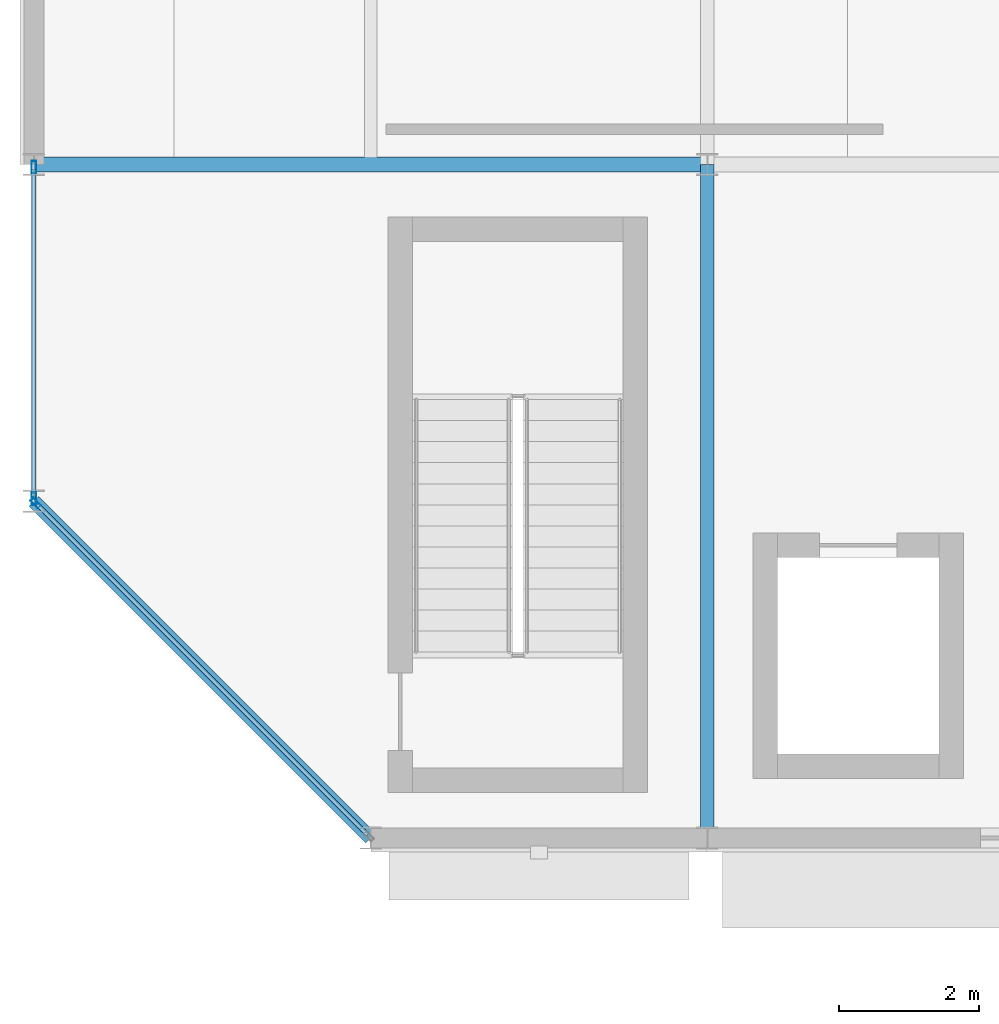
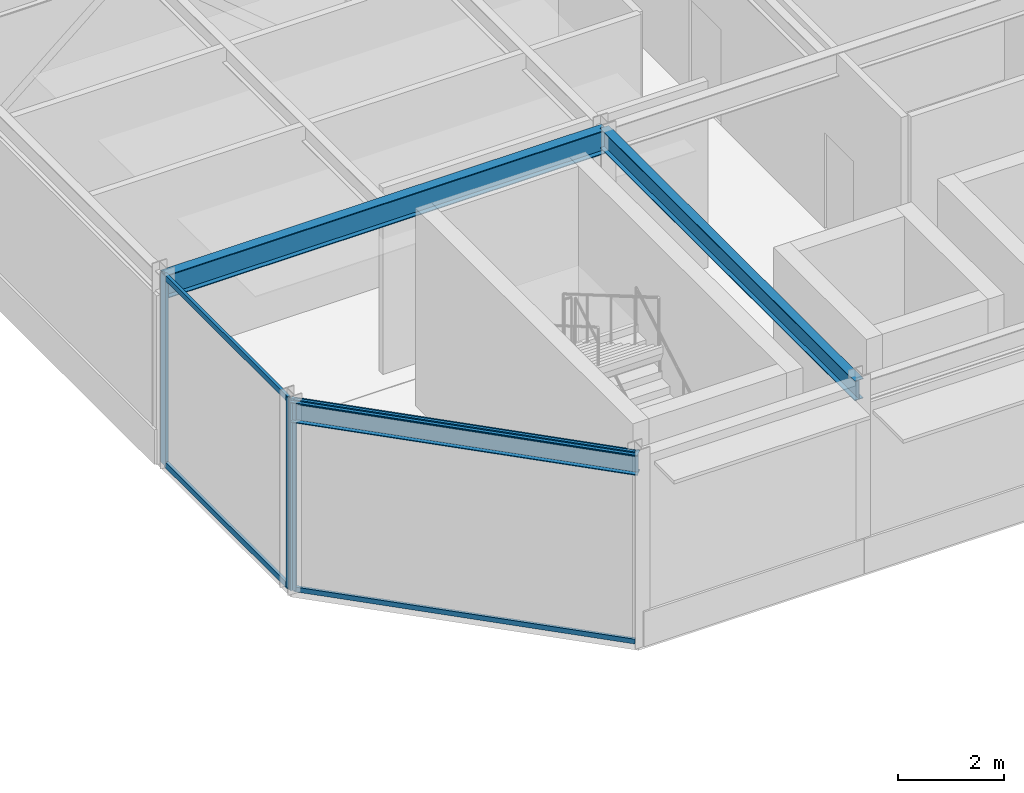
# One storey, part 22 of 89: 7 members, 3 beams, 2 elements without a shape of their own.
"""IFC4 building model written with IfcOpenShell, lengths in metres."""

from ifc_helpers import new_model, si_unit, direction, frame, origin, origin_2d, place, context, subcontext, project, spatial, hollow_rectangle, i_section, extrude, material, material_profile, profile_set, type_object, element, aggregate, save


model = new_model("IFC4")

# Units and contexts
model_context = context("Model", 3, precision=1e-05, world=origin(), true_north=direction((0.0, 1.0)))
body_context = subcontext(model_context, "Body", "Model", "MODEL_VIEW")
ifc_project = project(units=[si_unit("LENGTHUNIT", "METRE"), si_unit("AREAUNIT", "SQUARE_METRE"), si_unit("VOLUMEUNIT", "CUBIC_METRE"), si_unit("PLANEANGLEUNIT", "RADIAN"), si_unit("MASSUNIT", "GRAM", prefix="KILO")], contexts=[model_context])

# Site, building, storey
site_placement = place(None, origin())
site = spatial("IfcSite", under=ifc_project, at=site_placement, CompositionType="ELEMENT")
building_placement = place(site_placement, origin())
building = spatial("IfcBuilding", under=site, at=building_placement, Name="Almandine Court Research Institute", CompositionType="ELEMENT")
storey_placement = place(building_placement, frame((0.0, 0.0, 18.89990234375)))
storey = spatial("IfcBuildingStorey", under=building, at=storey_placement, Name="L04", CompositionType="ELEMENT", Elevation=18.89990234375)

# Beams
ifc_material_1 = material(Name="Steel ASTM A992 Grade 50", Category="steel")
ifc_material_profile_1 = material_profile(ifc_material_1, i_section(OverallWidth=0.18994140625, OverallDepth=0.45703125, WebThickness=0.009033203125, FlangeThickness=0.014892578125, at=origin_2d()), Name="W460x74")
ifc_profile_set_1 = profile_set([ifc_material_profile_1], Name="Steel ASTM A992 Grade 50")
beam_type_1 = type_object("IfcBeamType", Name="Beam-B-01", PredefinedType="BEAM", material=ifc_profile_set_1)
beam_1_placement = place(storey_placement, frame((15.60009765625, 84.0, 4.14111328125), z_axis=(0.0, 1.0, 0.0), x_axis=(-1.0, 0.0, 0.0)))
element("IfcBeam", 1, at=beam_1_placement, inside=storey, type_object=beam_type_1, Name="L04 V3 Primary Y Girder", PredefinedType="BEAM", context=body_context, shape_type="SweptSolid", body=[
    extrude(i_section(OverallWidth=0.18994140625, OverallDepth=0.45703125, WebThickness=0.009033203125, FlangeThickness=0.014892578125, at=origin_2d()), origin(), (0.0, 0.0, 1.0), 9.60009765625),
])
ifc_material_profile_2 = material_profile(ifc_material_1, i_section(OverallWidth=0.2109375, OverallDepth=0.5390625, WebThickness=0.011962890625, FlangeThickness=0.01904296875, at=origin_2d()), Name="W530x109")
ifc_profile_set_2 = profile_set([ifc_material_profile_2], Name="Steel ASTM A992 Grade 50")
beam_type_2 = type_object("IfcBeamType", Name="Beam-G-04", PredefinedType="BEAM", material=ifc_profile_set_2)
beam_2_placement = place(storey_placement, frame((6.0, 93.60009765625, 4.10009765625), z_axis=(1.0, 0.0, 0.0), x_axis=(0.0, 1.0, 0.0)))
element("IfcBeam", 2, at=beam_2_placement, inside=storey, type_object=beam_type_2, Name="L04 V3 Primary X Girder", PredefinedType="BEAM", context=body_context, shape_type="SweptSolid", body=[
    extrude(i_section(OverallWidth=0.2109375, OverallDepth=0.5390625, WebThickness=0.011962890625, FlangeThickness=0.01904296875, at=origin_2d()), origin(), (0.0, 0.0, 1.0), 9.60009765625),
])
ifc_material_profile_3 = material_profile(ifc_material_1, i_section(OverallWidth=0.193115234375, OverallDepth=0.466064453125, WebThickness=0.010986328125, FlangeThickness=0.01904296875, at=origin_2d()), Name="W460x97")
ifc_profile_set_3 = profile_set([ifc_material_profile_3], Name="Steel ASTM A992 Grade 50")
beam_type_3 = type_object("IfcBeamType", Name="Beam-G-06-E", PredefinedType="SPANDREL", material=ifc_profile_set_3)
beam_3_placement = place(storey_placement, frame((6.0, 88.800048828125, 4.13720703125), z_axis=(0.707106781187, -0.707106781187, 0.0), x_axis=(0.707106781187, 0.707106781187, 0.0)))
element("IfcBeam", 3, at=beam_3_placement, inside=storey, type_object=beam_type_3, Name="L04 V3 Octagonal Chamfer Spandrel", PredefinedType="SPANDREL", context=body_context, shape_type="SweptSolid", body=[
    extrude(i_section(OverallWidth=0.193115234375, OverallDepth=0.466064453125, WebThickness=0.010986328125, FlangeThickness=0.01904296875, at=origin_2d()), origin(), (0.0, 0.0, 1.0), 6.788330078125),
])

# Curtain wall, member
ifc_material_2 = material(Name="Unitised Curtain Wall Framing and Solar Glazing", Category="glass")
curtain_wall_type_1 = type_object("IfcCurtainWallType", Name="CW-CWG-08", PredefinedType="USERDEFINED", material=ifc_material_2)
curtain_wall_1_placement = place(storey_placement, origin())
curtain_wall_1 = element("IfcCurtainWall", 4, at=curtain_wall_1_placement, inside=storey, type_object=curtain_wall_type_1, Name="L04 Cleanroom SW Chamfer Glazing", ObjectType="UNITISED GLAZING", PredefinedType="USERDEFINED")
ifc_material_3 = material(Name="Anodised Aluminium AW-6063-T6", Category="aluminium")
ifc_material_profile_4 = material_profile(ifc_material_3, hollow_rectangle(XDim=0.06005859375, YDim=0.14990234375, WallThickness=0.00390625, at=origin_2d()), Name="ALU RHS 60x150x4")
ifc_profile_set_4 = profile_set([ifc_material_profile_4], Name="Anodised Aluminium AW-6063-T6")
member_type_1 = type_object("IfcMemberType", Name="CWMul-60x150", PredefinedType="MULLION", material=ifc_profile_set_4)
member_1_placement = place(storey_placement, frame((6.025146484375, 88.77490234375, 0.0), z_axis=(0.0, 0.0, 1.0), x_axis=(-0.707106781187, -0.707106781187, 0.0)))
member_1 = element("IfcMember", 5, at=member_1_placement, type_object=member_type_1, Name="CWG-08 mullion 2", PredefinedType="MULLION", context=body_context, shape_type="SweptSolid", body=[
    extrude(hollow_rectangle(XDim=0.06005859375, YDim=0.14990234375, WallThickness=0.00390625, at=origin_2d()), origin(), (0.0, 0.0, 1.0), 4.3701171875),
])

# Curtain wall, members
curtain_wall_type_2 = type_object("IfcCurtainWallType", Name="CW-CWJ-07", PredefinedType="USERDEFINED", material=ifc_material_2)
curtain_wall_2_placement = place(storey_placement, origin())
curtain_wall_2 = element("IfcCurtainWall", 6, at=curtain_wall_2_placement, inside=storey, type_object=curtain_wall_type_2, Name="L04 Cleanroom West Jali Curtain Wall", ObjectType="SOLAR JALI SCREEN", PredefinedType="USERDEFINED")
ifc_material_profile_5 = material_profile(ifc_material_3, hollow_rectangle(XDim=0.06494140625, YDim=0.179931640625, WallThickness=0.00390625, at=origin_2d()), Name="ALU RHS 65x180x4")
ifc_profile_set_5 = profile_set([ifc_material_profile_5], Name="Anodised Aluminium AW-6063-T6")
member_type_2 = type_object("IfcMemberType", Name="CWMul-65x180", PredefinedType="MULLION", material=ifc_profile_set_5)
member_2_placement = place(storey_placement, frame((6.0, 88.83642578125, 0.0), z_axis=(0.0, 0.0, 1.0), x_axis=(-1.0, 0.0, 0.0)))
member_2 = element("IfcMember", 7, at=member_2_placement, type_object=member_type_2, Name="CWJ-07 mullion 1", PredefinedType="MULLION", context=body_context, shape_type="SweptSolid", body=[
    extrude(hollow_rectangle(XDim=0.06494140625, YDim=0.179931640625, WallThickness=0.00390625, at=origin_2d()), origin(), (0.0, 0.0, 1.0), 4.3701171875),
])
member_3_placement = place(storey_placement, frame((6.0, 93.5634765625, 0.0), z_axis=(0.0, 0.0, 1.0), x_axis=(-1.0, 0.0, 0.0)))
member_3 = element("IfcMember", 8, at=member_3_placement, type_object=member_type_2, Name="CWJ-07 mullion 2", PredefinedType="MULLION", context=body_context, shape_type="SweptSolid", body=[
    extrude(hollow_rectangle(XDim=0.06494140625, YDim=0.179931640625, WallThickness=0.00390625, at=origin_2d()), origin(), (0.0, 0.0, 1.0), 4.3701171875),
])

# Member
ifc_material_profile_6 = material_profile(ifc_material_3, hollow_rectangle(XDim=0.06005859375, YDim=0.110107421875, WallThickness=0.00390625, at=origin_2d()), Name="ALU RHS 60x110x4")
ifc_profile_set_6 = profile_set([ifc_material_profile_6], Name="Anodised Aluminium AW-6063-T6")
member_type_3 = type_object("IfcMemberType", Name="CWTrn-60x110", PredefinedType="NOTDEFINED", material=ifc_profile_set_6)
member_4_placement = place(storey_placement, frame((10.753662109375, 84.04638671875, 0.030029296875), z_axis=(-0.707106781187, 0.707106781187, 0.0), x_axis=(-0.707106781187, -0.707106781187, 0.0)))
member_4 = element("IfcMember", 9, at=member_4_placement, type_object=member_type_3, Name="CWG-08 transom 1.1", ObjectType="TRANSOM", PredefinedType="USERDEFINED", context=body_context, shape_type="SweptSolid", body=[
    extrude(hollow_rectangle(XDim=0.06005859375, YDim=0.110107421875, WallThickness=0.00390625, at=origin_2d()), origin(), (0.0, 0.0, 1.0), 6.656982421875),
])

member_5_placement = place(storey_placement, frame((10.753662109375, 84.04638671875, 4.340087890625), z_axis=(-0.707106781187, 0.707106781187, 0.0), x_axis=(-0.707106781187, -0.707106781187, 0.0)))
member_5 = element("IfcMember", 10, at=member_5_placement, type_object=member_type_3, Name="CWG-08 transom 1.2", ObjectType="TRANSOM", PredefinedType="USERDEFINED", context=body_context, shape_type="SweptSolid", body=[
    extrude(hollow_rectangle(XDim=0.06005859375, YDim=0.110107421875, WallThickness=0.00390625, at=origin_2d()), origin(), (0.0, 0.0, 1.0), 6.656982421875),
])

aggregate(curtain_wall_1, [member_1, member_4, member_5])

ifc_material_profile_7 = material_profile(ifc_material_3, hollow_rectangle(XDim=0.06494140625, YDim=0.1298828125, WallThickness=0.00390625, at=origin_2d()), Name="ALU RHS 65x130x4")
ifc_profile_set_7 = profile_set([ifc_material_profile_7], Name="Anodised Aluminium AW-6063-T6")
member_type_4 = type_object("IfcMemberType", Name="CWTrn-65x130", PredefinedType="NOTDEFINED", material=ifc_profile_set_7)
member_6_placement = place(storey_placement, frame((6.0, 88.868896484375, 0.03271484375), z_axis=(0.0, 1.0, 0.0), x_axis=(-1.0, 0.0, 0.0)))
member_6 = element("IfcMember", 11, at=member_6_placement, type_object=member_type_4, Name="CWJ-07 transom 1.1", ObjectType="TRANSOM", PredefinedType="USERDEFINED", context=body_context, shape_type="SweptSolid", body=[
    extrude(hollow_rectangle(XDim=0.06494140625, YDim=0.1298828125, WallThickness=0.00390625, at=origin_2d()), origin(), (0.0, 0.0, 1.0), 4.662109375),
])

member_7_placement = place(storey_placement, frame((6.0, 88.868896484375, 4.337646484375), z_axis=(0.0, 1.0, 0.0), x_axis=(-1.0, 0.0, 0.0)))
member_7 = element("IfcMember", 12, at=member_7_placement, type_object=member_type_4, Name="CWJ-07 transom 1.2", ObjectType="TRANSOM", PredefinedType="USERDEFINED", context=body_context, shape_type="SweptSolid", body=[
    extrude(hollow_rectangle(XDim=0.06494140625, YDim=0.1298828125, WallThickness=0.00390625, at=origin_2d()), origin(), (0.0, 0.0, 1.0), 4.662109375),
])

aggregate(curtain_wall_2, [member_2, member_3, member_6, member_7])

save(model, "model.ifc")
